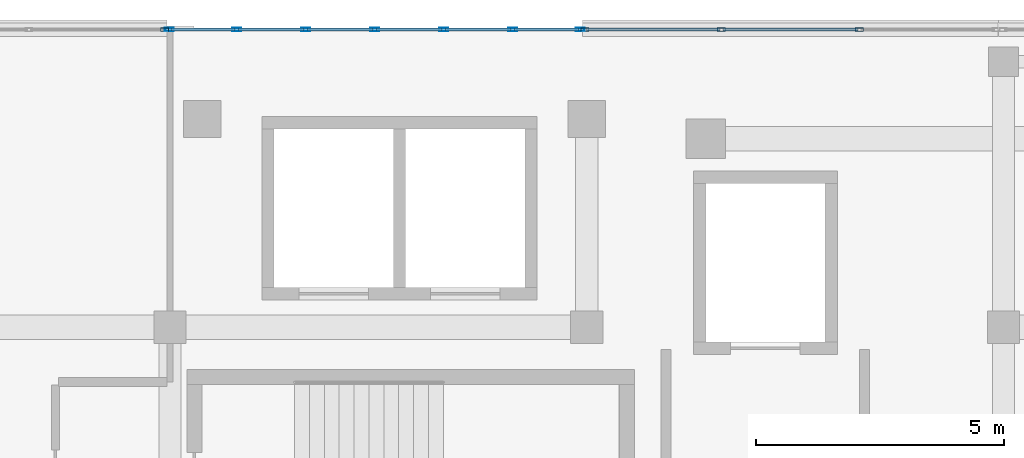
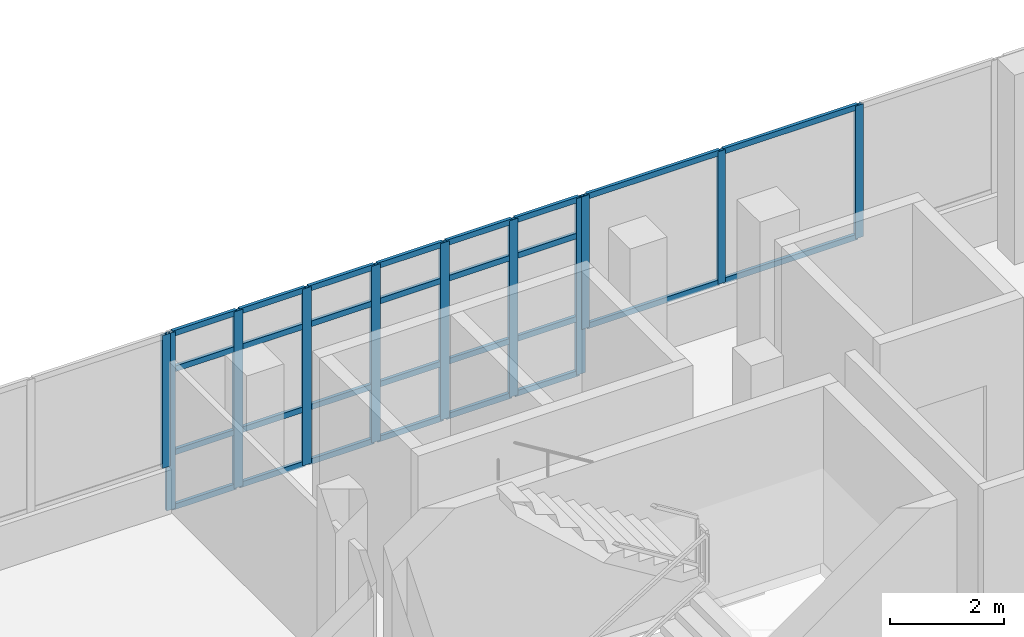
# One storey, part 28 of 78: 39 members, 3 elements without a shape of their own.
"""IFC4 building model written with IfcOpenShell, lengths in metres."""

from ifc_helpers import new_model, si_unit, direction, frame, origin, origin_2d, place, context, subcontext, project, spatial, hollow_rectangle, extrude, material, material_profile, profile_set, type_object, element, aggregate, save


model = new_model("IFC4")

# Units and contexts
model_context = context("Model", 3, precision=1e-05, world=origin(), true_north=direction((0.0, 1.0)))
body_context = subcontext(model_context, "Body", "Model", "MODEL_VIEW")
ifc_project = project(units=[si_unit("LENGTHUNIT", "METRE"), si_unit("AREAUNIT", "SQUARE_METRE"), si_unit("VOLUMEUNIT", "CUBIC_METRE"), si_unit("PLANEANGLEUNIT", "RADIAN"), si_unit("MASSUNIT", "GRAM", prefix="KILO")], contexts=[model_context])

# Site, building, storey
site_placement = place(None, origin())
site = spatial("IfcSite", under=ifc_project, at=site_placement, CompositionType="ELEMENT")
building_placement = place(site_placement, origin())
building = spatial("IfcBuilding", under=site, at=building_placement, Name="Selatvlak General Hospital", CompositionType="ELEMENT")
storey_placement = place(building_placement, frame((0.0, 0.0, 23.25)))
storey = spatial("IfcBuildingStorey", under=building, at=storey_placement, Name="L05", CompositionType="ELEMENT", Elevation=23.25)

# Curtain wall, member
ifc_material_1 = material(Name="Solar-control Low-E double glazing", Category="glass")
curtain_wall_type_1 = type_object("IfcCurtainWallType", Name="CW-CW-01", PredefinedType="USERDEFINED", material=ifc_material_1)
curtain_wall_1_placement = place(storey_placement, origin())
curtain_wall_1 = element("IfcCurtainWall", 1, at=curtain_wall_1_placement, inside=storey, type_object=curtain_wall_type_1, Name="Glazed facade curtain wall CW-L05-0549", ObjectType="UNITISED CURTAIN WALL", PredefinedType="USERDEFINED")
ifc_material_2 = material(Name="Dark anodised aluminium mullion", Category="aluminium")
ifc_material_profile_1 = material_profile(ifc_material_2, hollow_rectangle(XDim=0.06494140625, YDim=0.159912109375, WallThickness=0.00390625, at=origin_2d()), Name="AL-MUL 65x160x4")
ifc_profile_set_1 = profile_set([ifc_material_profile_1], Name="Dark anodised aluminium mullion")
member_type_1 = type_object("IfcMemberType", Name="CWM-01", PredefinedType="MULLION", material=ifc_profile_set_1)
member_1_placement = place(storey_placement, frame((47.889404296875, 119.9990234375, 0.93994140625), z_axis=(0.0, 0.0, 1.0), x_axis=(0.0, 1.0, 0.0)))
member_1 = element("IfcMember", 2, at=member_1_placement, type_object=member_type_1, Name="CW-01 mullion 4", PredefinedType="MULLION", context=body_context, shape_type="SweptSolid", body=[
    extrude(hollow_rectangle(XDim=0.06494140625, YDim=0.159912109375, WallThickness=0.00390625, at=origin_2d()), origin(), (0.0, 0.0, 1.0), 2.8349609375),
])
aggregate(curtain_wall_1, [member_1])

# Curtain wall, members
curtain_wall_2_placement = place(storey_placement, origin())
curtain_wall_2 = element("IfcCurtainWall", 3, at=curtain_wall_2_placement, inside=storey, type_object=curtain_wall_type_1, Name="Glazed facade curtain wall CW-L05-0551", ObjectType="UNITISED CURTAIN WALL", PredefinedType="USERDEFINED")
member_2_placement = place(storey_placement, frame((56.363525390625, 119.9990234375, 0.93994140625), z_axis=(0.0, 0.0, 1.0), x_axis=(0.0, 1.0, 0.0)))
member_2 = element("IfcMember", 4, at=member_2_placement, type_object=member_type_1, Name="CW-01 mullion 1", PredefinedType="MULLION", context=body_context, shape_type="SweptSolid", body=[
    extrude(hollow_rectangle(XDim=0.06494140625, YDim=0.159912109375, WallThickness=0.00390625, at=origin_2d()), origin(), (0.0, 0.0, 1.0), 2.8349609375),
])
member_3_placement = place(storey_placement, frame((59.11376953125, 119.9990234375, 0.93994140625), z_axis=(0.0, 0.0, 1.0), x_axis=(0.0, 1.0, 0.0)))
member_3 = element("IfcMember", 5, at=member_3_placement, type_object=member_type_1, Name="CW-01 mullion 2", PredefinedType="MULLION", context=body_context, shape_type="SweptSolid", body=[
    extrude(hollow_rectangle(XDim=0.06494140625, YDim=0.159912109375, WallThickness=0.00390625, at=origin_2d()), origin(), (0.0, 0.0, 1.0), 2.8349609375),
])
member_4_placement = place(storey_placement, frame((61.896240234375, 119.9990234375, 0.93994140625), z_axis=(0.0, 0.0, 1.0), x_axis=(0.0, 1.0, 0.0)))
member_4 = element("IfcMember", 6, at=member_4_placement, type_object=member_type_1, Name="CW-01 mullion 3", PredefinedType="MULLION", context=body_context, shape_type="SweptSolid", body=[
    extrude(hollow_rectangle(XDim=0.06494140625, YDim=0.159912109375, WallThickness=0.00390625, at=origin_2d()), origin(), (0.0, 0.0, 1.0), 2.8349609375),
])

curtain_wall_type_2 = type_object("IfcCurtainWallType", Name="CW-CW-04", PredefinedType="USERDEFINED", material=ifc_material_1)
curtain_wall_3_placement = place(storey_placement, origin())
curtain_wall_3 = element("IfcCurtainWall", 7, at=curtain_wall_3_placement, inside=storey, type_object=curtain_wall_type_2, Name="Glazed facade curtain wall CW-L05-0550", ObjectType="STICK GLAZING WALL", PredefinedType="USERDEFINED")
ifc_material_profile_2 = material_profile(ifc_material_2, hollow_rectangle(XDim=0.06494140625, YDim=0.179931640625, WallThickness=0.00439453125, at=origin_2d()), Name="AL-MUL 65x180x4.5")
ifc_profile_set_2 = profile_set([ifc_material_profile_2], Name="Dark anodised aluminium mullion")
member_type_2 = type_object("IfcMemberType", Name="CWM-02", PredefinedType="MULLION", material=ifc_profile_set_2)
member_5_placement = place(storey_placement, frame((47.984619140625, 119.9990234375, 0.0), z_axis=(0.0, 0.0, 1.0), x_axis=(0.0, 1.0, 0.0)))
member_5 = element("IfcMember", 8, at=member_5_placement, type_object=member_type_2, Name="CW-04 mullion 1", PredefinedType="MULLION", context=body_context, shape_type="SweptSolid", body=[
    extrude(hollow_rectangle(XDim=0.06494140625, YDim=0.179931640625, WallThickness=0.00439453125, at=origin_2d()), origin(), (0.0, 0.0, 1.0), 3.77490234375),
])
member_6_placement = place(storey_placement, frame((49.343505859375, 119.9990234375, 0.0), z_axis=(0.0, 0.0, 1.0), x_axis=(0.0, 1.0, 0.0)))
member_6 = element("IfcMember", 9, at=member_6_placement, type_object=member_type_2, Name="CW-04 mullion 2", PredefinedType="MULLION", context=body_context, shape_type="SweptSolid", body=[
    extrude(hollow_rectangle(XDim=0.06494140625, YDim=0.179931640625, WallThickness=0.00439453125, at=origin_2d()), origin(), (0.0, 0.0, 1.0), 3.77490234375),
])
member_7_placement = place(storey_placement, frame((50.735107421875, 119.9990234375, 0.0), z_axis=(0.0, 0.0, 1.0), x_axis=(0.0, 1.0, 0.0)))
member_7 = element("IfcMember", 10, at=member_7_placement, type_object=member_type_2, Name="CW-04 mullion 3", PredefinedType="MULLION", context=body_context, shape_type="SweptSolid", body=[
    extrude(hollow_rectangle(XDim=0.06494140625, YDim=0.179931640625, WallThickness=0.00439453125, at=origin_2d()), origin(), (0.0, 0.0, 1.0), 3.77490234375),
])
member_8_placement = place(storey_placement, frame((52.12646484375, 119.9990234375, 0.0), z_axis=(0.0, 0.0, 1.0), x_axis=(0.0, 1.0, 0.0)))
member_8 = element("IfcMember", 11, at=member_8_placement, type_object=member_type_2, Name="CW-04 mullion 4", PredefinedType="MULLION", context=body_context, shape_type="SweptSolid", body=[
    extrude(hollow_rectangle(XDim=0.06494140625, YDim=0.179931640625, WallThickness=0.00439453125, at=origin_2d()), origin(), (0.0, 0.0, 1.0), 3.77490234375),
])
member_9_placement = place(storey_placement, frame((53.51806640625, 119.9990234375, 0.0), z_axis=(0.0, 0.0, 1.0), x_axis=(0.0, 1.0, 0.0)))
member_9 = element("IfcMember", 12, at=member_9_placement, type_object=member_type_2, Name="CW-04 mullion 5", PredefinedType="MULLION", context=body_context, shape_type="SweptSolid", body=[
    extrude(hollow_rectangle(XDim=0.06494140625, YDim=0.179931640625, WallThickness=0.00439453125, at=origin_2d()), origin(), (0.0, 0.0, 1.0), 3.77490234375),
])
member_10_placement = place(storey_placement, frame((54.909423828125, 119.9990234375, 0.0), z_axis=(0.0, 0.0, 1.0), x_axis=(0.0, 1.0, 0.0)))
member_10 = element("IfcMember", 13, at=member_10_placement, type_object=member_type_2, Name="CW-04 mullion 6", PredefinedType="MULLION", context=body_context, shape_type="SweptSolid", body=[
    extrude(hollow_rectangle(XDim=0.06494140625, YDim=0.179931640625, WallThickness=0.00439453125, at=origin_2d()), origin(), (0.0, 0.0, 1.0), 3.77490234375),
])
member_11_placement = place(storey_placement, frame((56.2685546875, 119.9990234375, 0.0), z_axis=(0.0, 0.0, 1.0), x_axis=(0.0, 1.0, 0.0)))
member_11 = element("IfcMember", 14, at=member_11_placement, type_object=member_type_2, Name="CW-04 mullion 7", PredefinedType="MULLION", context=body_context, shape_type="SweptSolid", body=[
    extrude(hollow_rectangle(XDim=0.06494140625, YDim=0.179931640625, WallThickness=0.00439453125, at=origin_2d()), origin(), (0.0, 0.0, 1.0), 3.77490234375),
])
ifc_material_profile_3 = material_profile(ifc_material_2, hollow_rectangle(XDim=0.06494140625, YDim=0.1201171875, WallThickness=0.00390625, at=origin_2d()), Name="AL-TRN 65x120x4")
ifc_profile_set_3 = profile_set([ifc_material_profile_3], Name="Dark anodised aluminium mullion")
member_type_3 = type_object("IfcMemberType", Name="CWT-01", PredefinedType="USERDEFINED", material=ifc_profile_set_3)
member_12_placement = place(storey_placement, frame((48.01708984375, 119.9990234375, 0.032470703125), z_axis=(1.0, 0.0, 0.0), x_axis=(0.0, 1.0, 0.0)))
member_12 = element("IfcMember", 15, at=member_12_placement, type_object=member_type_3, Name="CW-04 transom 1.1", ObjectType="TRANSOM", PredefinedType="USERDEFINED", context=body_context, shape_type="SweptSolid", body=[
    extrude(hollow_rectangle(XDim=0.06494140625, YDim=0.1201171875, WallThickness=0.00390625, at=origin_2d()), origin(), (0.0, 0.0, 1.0), 1.2939453125),
])
member_13_placement = place(storey_placement, frame((48.01708984375, 119.9990234375, 1.199951171875), z_axis=(1.0, 0.0, 0.0), x_axis=(0.0, 1.0, 0.0)))
member_13 = element("IfcMember", 16, at=member_13_placement, type_object=member_type_3, Name="CW-04 transom 1.2", ObjectType="TRANSOM", PredefinedType="USERDEFINED", context=body_context, shape_type="SweptSolid", body=[
    extrude(hollow_rectangle(XDim=0.06494140625, YDim=0.1201171875, WallThickness=0.00390625, at=origin_2d()), origin(), (0.0, 0.0, 1.0), 1.2939453125),
])
member_14_placement = place(storey_placement, frame((48.01708984375, 119.9990234375, 2.97509765625), z_axis=(1.0, 0.0, 0.0), x_axis=(0.0, 1.0, 0.0)))
member_14 = element("IfcMember", 17, at=member_14_placement, type_object=member_type_3, Name="CW-04 transom 1.3", ObjectType="TRANSOM", PredefinedType="USERDEFINED", context=body_context, shape_type="SweptSolid", body=[
    extrude(hollow_rectangle(XDim=0.06494140625, YDim=0.1201171875, WallThickness=0.00390625, at=origin_2d()), origin(), (0.0, 0.0, 1.0), 1.2939453125),
])
member_15_placement = place(storey_placement, frame((48.01708984375, 119.9990234375, 3.742431640625), z_axis=(1.0, 0.0, 0.0), x_axis=(0.0, 1.0, 0.0)))
member_15 = element("IfcMember", 18, at=member_15_placement, type_object=member_type_3, Name="CW-04 transom 1.4", ObjectType="TRANSOM", PredefinedType="USERDEFINED", context=body_context, shape_type="SweptSolid", body=[
    extrude(hollow_rectangle(XDim=0.06494140625, YDim=0.1201171875, WallThickness=0.00390625, at=origin_2d()), origin(), (0.0, 0.0, 1.0), 1.2939453125),
])
member_16_placement = place(storey_placement, frame((49.3759765625, 119.9990234375, 0.032470703125), z_axis=(1.0, 0.0, 0.0), x_axis=(0.0, 1.0, 0.0)))
member_16 = element("IfcMember", 19, at=member_16_placement, type_object=member_type_3, Name="CW-04 transom 2.1", ObjectType="TRANSOM", PredefinedType="USERDEFINED", context=body_context, shape_type="SweptSolid", body=[
    extrude(hollow_rectangle(XDim=0.06494140625, YDim=0.1201171875, WallThickness=0.00390625, at=origin_2d()), origin(), (0.0, 0.0, 1.0), 1.326416015625),
])
member_17_placement = place(storey_placement, frame((49.3759765625, 119.9990234375, 1.199951171875), z_axis=(1.0, 0.0, 0.0), x_axis=(0.0, 1.0, 0.0)))
member_17 = element("IfcMember", 20, at=member_17_placement, type_object=member_type_3, Name="CW-04 transom 2.2", ObjectType="TRANSOM", PredefinedType="USERDEFINED", context=body_context, shape_type="SweptSolid", body=[
    extrude(hollow_rectangle(XDim=0.06494140625, YDim=0.1201171875, WallThickness=0.00390625, at=origin_2d()), origin(), (0.0, 0.0, 1.0), 1.326416015625),
])
member_18_placement = place(storey_placement, frame((49.3759765625, 119.9990234375, 2.97509765625), z_axis=(1.0, 0.0, 0.0), x_axis=(0.0, 1.0, 0.0)))
member_18 = element("IfcMember", 21, at=member_18_placement, type_object=member_type_3, Name="CW-04 transom 2.3", ObjectType="TRANSOM", PredefinedType="USERDEFINED", context=body_context, shape_type="SweptSolid", body=[
    extrude(hollow_rectangle(XDim=0.06494140625, YDim=0.1201171875, WallThickness=0.00390625, at=origin_2d()), origin(), (0.0, 0.0, 1.0), 1.326416015625),
])
member_19_placement = place(storey_placement, frame((49.3759765625, 119.9990234375, 3.742431640625), z_axis=(1.0, 0.0, 0.0), x_axis=(0.0, 1.0, 0.0)))
member_19 = element("IfcMember", 22, at=member_19_placement, type_object=member_type_3, Name="CW-04 transom 2.4", ObjectType="TRANSOM", PredefinedType="USERDEFINED", context=body_context, shape_type="SweptSolid", body=[
    extrude(hollow_rectangle(XDim=0.06494140625, YDim=0.1201171875, WallThickness=0.00390625, at=origin_2d()), origin(), (0.0, 0.0, 1.0), 1.326416015625),
])
member_20_placement = place(storey_placement, frame((50.767578125, 119.9990234375, 0.032470703125), z_axis=(1.0, 0.0, 0.0), x_axis=(0.0, 1.0, 0.0)))
member_20 = element("IfcMember", 23, at=member_20_placement, type_object=member_type_3, Name="CW-04 transom 3.1", ObjectType="TRANSOM", PredefinedType="USERDEFINED", context=body_context, shape_type="SweptSolid", body=[
    extrude(hollow_rectangle(XDim=0.06494140625, YDim=0.1201171875, WallThickness=0.00390625, at=origin_2d()), origin(), (0.0, 0.0, 1.0), 1.326416015625),
])
member_21_placement = place(storey_placement, frame((50.767578125, 119.9990234375, 1.199951171875), z_axis=(1.0, 0.0, 0.0), x_axis=(0.0, 1.0, 0.0)))
member_21 = element("IfcMember", 24, at=member_21_placement, type_object=member_type_3, Name="CW-04 transom 3.2", ObjectType="TRANSOM", PredefinedType="USERDEFINED", context=body_context, shape_type="SweptSolid", body=[
    extrude(hollow_rectangle(XDim=0.06494140625, YDim=0.1201171875, WallThickness=0.00390625, at=origin_2d()), origin(), (0.0, 0.0, 1.0), 1.326416015625),
])
member_22_placement = place(storey_placement, frame((50.767578125, 119.9990234375, 2.97509765625), z_axis=(1.0, 0.0, 0.0), x_axis=(0.0, 1.0, 0.0)))
member_22 = element("IfcMember", 25, at=member_22_placement, type_object=member_type_3, Name="CW-04 transom 3.3", ObjectType="TRANSOM", PredefinedType="USERDEFINED", context=body_context, shape_type="SweptSolid", body=[
    extrude(hollow_rectangle(XDim=0.06494140625, YDim=0.1201171875, WallThickness=0.00390625, at=origin_2d()), origin(), (0.0, 0.0, 1.0), 1.326416015625),
])
member_23_placement = place(storey_placement, frame((50.767578125, 119.9990234375, 3.742431640625), z_axis=(1.0, 0.0, 0.0), x_axis=(0.0, 1.0, 0.0)))
member_23 = element("IfcMember", 26, at=member_23_placement, type_object=member_type_3, Name="CW-04 transom 3.4", ObjectType="TRANSOM", PredefinedType="USERDEFINED", context=body_context, shape_type="SweptSolid", body=[
    extrude(hollow_rectangle(XDim=0.06494140625, YDim=0.1201171875, WallThickness=0.00390625, at=origin_2d()), origin(), (0.0, 0.0, 1.0), 1.326416015625),
])
member_24_placement = place(storey_placement, frame((52.158935546875, 119.9990234375, 0.032470703125), z_axis=(1.0, 0.0, 0.0), x_axis=(0.0, 1.0, 0.0)))
member_24 = element("IfcMember", 27, at=member_24_placement, type_object=member_type_3, Name="CW-04 transom 4.1", ObjectType="TRANSOM", PredefinedType="USERDEFINED", context=body_context, shape_type="SweptSolid", body=[
    extrude(hollow_rectangle(XDim=0.06494140625, YDim=0.1201171875, WallThickness=0.00390625, at=origin_2d()), origin(), (0.0, 0.0, 1.0), 1.32666015625),
])
member_25_placement = place(storey_placement, frame((52.158935546875, 119.9990234375, 1.199951171875), z_axis=(1.0, 0.0, 0.0), x_axis=(0.0, 1.0, 0.0)))
member_25 = element("IfcMember", 28, at=member_25_placement, type_object=member_type_3, Name="CW-04 transom 4.2", ObjectType="TRANSOM", PredefinedType="USERDEFINED", context=body_context, shape_type="SweptSolid", body=[
    extrude(hollow_rectangle(XDim=0.06494140625, YDim=0.1201171875, WallThickness=0.00390625, at=origin_2d()), origin(), (0.0, 0.0, 1.0), 1.32666015625),
])
member_26_placement = place(storey_placement, frame((52.158935546875, 119.9990234375, 2.97509765625), z_axis=(1.0, 0.0, 0.0), x_axis=(0.0, 1.0, 0.0)))
member_26 = element("IfcMember", 29, at=member_26_placement, type_object=member_type_3, Name="CW-04 transom 4.3", ObjectType="TRANSOM", PredefinedType="USERDEFINED", context=body_context, shape_type="SweptSolid", body=[
    extrude(hollow_rectangle(XDim=0.06494140625, YDim=0.1201171875, WallThickness=0.00390625, at=origin_2d()), origin(), (0.0, 0.0, 1.0), 1.32666015625),
])
member_27_placement = place(storey_placement, frame((52.158935546875, 119.9990234375, 3.742431640625), z_axis=(1.0, 0.0, 0.0), x_axis=(0.0, 1.0, 0.0)))
member_27 = element("IfcMember", 30, at=member_27_placement, type_object=member_type_3, Name="CW-04 transom 4.4", ObjectType="TRANSOM", PredefinedType="USERDEFINED", context=body_context, shape_type="SweptSolid", body=[
    extrude(hollow_rectangle(XDim=0.06494140625, YDim=0.1201171875, WallThickness=0.00390625, at=origin_2d()), origin(), (0.0, 0.0, 1.0), 1.32666015625),
])
member_28_placement = place(storey_placement, frame((53.550537109375, 119.9990234375, 0.032470703125), z_axis=(1.0, 0.0, 0.0), x_axis=(0.0, 1.0, 0.0)))
member_28 = element("IfcMember", 31, at=member_28_placement, type_object=member_type_3, Name="CW-04 transom 5.1", ObjectType="TRANSOM", PredefinedType="USERDEFINED", context=body_context, shape_type="SweptSolid", body=[
    extrude(hollow_rectangle(XDim=0.06494140625, YDim=0.1201171875, WallThickness=0.00390625, at=origin_2d()), origin(), (0.0, 0.0, 1.0), 1.326416015625),
])
member_29_placement = place(storey_placement, frame((53.550537109375, 119.9990234375, 1.199951171875), z_axis=(1.0, 0.0, 0.0), x_axis=(0.0, 1.0, 0.0)))
member_29 = element("IfcMember", 32, at=member_29_placement, type_object=member_type_3, Name="CW-04 transom 5.2", ObjectType="TRANSOM", PredefinedType="USERDEFINED", context=body_context, shape_type="SweptSolid", body=[
    extrude(hollow_rectangle(XDim=0.06494140625, YDim=0.1201171875, WallThickness=0.00390625, at=origin_2d()), origin(), (0.0, 0.0, 1.0), 1.326416015625),
])
member_30_placement = place(storey_placement, frame((53.550537109375, 119.9990234375, 2.97509765625), z_axis=(1.0, 0.0, 0.0), x_axis=(0.0, 1.0, 0.0)))
member_30 = element("IfcMember", 33, at=member_30_placement, type_object=member_type_3, Name="CW-04 transom 5.3", ObjectType="TRANSOM", PredefinedType="USERDEFINED", context=body_context, shape_type="SweptSolid", body=[
    extrude(hollow_rectangle(XDim=0.06494140625, YDim=0.1201171875, WallThickness=0.00390625, at=origin_2d()), origin(), (0.0, 0.0, 1.0), 1.326416015625),
])
member_31_placement = place(storey_placement, frame((53.550537109375, 119.9990234375, 3.742431640625), z_axis=(1.0, 0.0, 0.0), x_axis=(0.0, 1.0, 0.0)))
member_31 = element("IfcMember", 34, at=member_31_placement, type_object=member_type_3, Name="CW-04 transom 5.4", ObjectType="TRANSOM", PredefinedType="USERDEFINED", context=body_context, shape_type="SweptSolid", body=[
    extrude(hollow_rectangle(XDim=0.06494140625, YDim=0.1201171875, WallThickness=0.00390625, at=origin_2d()), origin(), (0.0, 0.0, 1.0), 1.326416015625),
])
member_32_placement = place(storey_placement, frame((54.94189453125, 119.9990234375, 0.032470703125), z_axis=(1.0, 0.0, 0.0), x_axis=(0.0, 1.0, 0.0)))
member_32 = element("IfcMember", 35, at=member_32_placement, type_object=member_type_3, Name="CW-04 transom 6.1", ObjectType="TRANSOM", PredefinedType="USERDEFINED", context=body_context, shape_type="SweptSolid", body=[
    extrude(hollow_rectangle(XDim=0.06494140625, YDim=0.1201171875, WallThickness=0.00390625, at=origin_2d()), origin(), (0.0, 0.0, 1.0), 1.294189453125),
])
member_33_placement = place(storey_placement, frame((54.94189453125, 119.9990234375, 1.199951171875), z_axis=(1.0, 0.0, 0.0), x_axis=(0.0, 1.0, 0.0)))
member_33 = element("IfcMember", 36, at=member_33_placement, type_object=member_type_3, Name="CW-04 transom 6.2", ObjectType="TRANSOM", PredefinedType="USERDEFINED", context=body_context, shape_type="SweptSolid", body=[
    extrude(hollow_rectangle(XDim=0.06494140625, YDim=0.1201171875, WallThickness=0.00390625, at=origin_2d()), origin(), (0.0, 0.0, 1.0), 1.294189453125),
])
member_34_placement = place(storey_placement, frame((54.94189453125, 119.9990234375, 2.97509765625), z_axis=(1.0, 0.0, 0.0), x_axis=(0.0, 1.0, 0.0)))
member_34 = element("IfcMember", 37, at=member_34_placement, type_object=member_type_3, Name="CW-04 transom 6.3", ObjectType="TRANSOM", PredefinedType="USERDEFINED", context=body_context, shape_type="SweptSolid", body=[
    extrude(hollow_rectangle(XDim=0.06494140625, YDim=0.1201171875, WallThickness=0.00390625, at=origin_2d()), origin(), (0.0, 0.0, 1.0), 1.294189453125),
])
member_35_placement = place(storey_placement, frame((54.94189453125, 119.9990234375, 3.742431640625), z_axis=(1.0, 0.0, 0.0), x_axis=(0.0, 1.0, 0.0)))
member_35 = element("IfcMember", 38, at=member_35_placement, type_object=member_type_3, Name="CW-04 transom 6.4", ObjectType="TRANSOM", PredefinedType="USERDEFINED", context=body_context, shape_type="SweptSolid", body=[
    extrude(hollow_rectangle(XDim=0.06494140625, YDim=0.1201171875, WallThickness=0.00390625, at=origin_2d()), origin(), (0.0, 0.0, 1.0), 1.294189453125),
])
aggregate(curtain_wall_3, [member_5, member_6, member_7, member_8, member_9, member_10, member_11, member_12, member_13, member_14, member_15, member_16, member_17, member_18, member_19, member_20, member_21, member_22, member_23, member_24, member_25, member_26, member_27, member_28, member_29, member_30, member_31, member_32, member_33, member_34, member_35])

# Member
member_36_placement = place(storey_placement, frame((56.39599609375, 119.9990234375, 0.972412109375), z_axis=(1.0, 0.0, 0.0), x_axis=(0.0, 1.0, 0.0)))
member_36 = element("IfcMember", 39, at=member_36_placement, type_object=member_type_3, Name="CW-01 transom 1.1", ObjectType="TRANSOM", PredefinedType="USERDEFINED", context=body_context, shape_type="SweptSolid", body=[
    extrude(hollow_rectangle(XDim=0.06494140625, YDim=0.1201171875, WallThickness=0.00390625, at=origin_2d()), origin(), (0.0, 0.0, 1.0), 2.68505859375),
])

member_37_placement = place(storey_placement, frame((56.39599609375, 119.9990234375, 3.742431640625), z_axis=(1.0, 0.0, 0.0), x_axis=(0.0, 1.0, 0.0)))
member_37 = element("IfcMember", 40, at=member_37_placement, type_object=member_type_3, Name="CW-01 transom 1.2", ObjectType="TRANSOM", PredefinedType="USERDEFINED", context=body_context, shape_type="SweptSolid", body=[
    extrude(hollow_rectangle(XDim=0.06494140625, YDim=0.1201171875, WallThickness=0.00390625, at=origin_2d()), origin(), (0.0, 0.0, 1.0), 2.68505859375),
])

member_38_placement = place(storey_placement, frame((59.146240234375, 119.9990234375, 0.972412109375), z_axis=(1.0, 0.0, 0.0), x_axis=(0.0, 1.0, 0.0)))
member_38 = element("IfcMember", 41, at=member_38_placement, type_object=member_type_3, Name="CW-01 transom 2.1", ObjectType="TRANSOM", PredefinedType="USERDEFINED", context=body_context, shape_type="SweptSolid", body=[
    extrude(hollow_rectangle(XDim=0.06494140625, YDim=0.1201171875, WallThickness=0.00390625, at=origin_2d()), origin(), (0.0, 0.0, 1.0), 2.717529296875),
])

member_39_placement = place(storey_placement, frame((59.146240234375, 119.9990234375, 3.742431640625), z_axis=(1.0, 0.0, 0.0), x_axis=(0.0, 1.0, 0.0)))
member_39 = element("IfcMember", 42, at=member_39_placement, type_object=member_type_3, Name="CW-01 transom 2.2", ObjectType="TRANSOM", PredefinedType="USERDEFINED", context=body_context, shape_type="SweptSolid", body=[
    extrude(hollow_rectangle(XDim=0.06494140625, YDim=0.1201171875, WallThickness=0.00390625, at=origin_2d()), origin(), (0.0, 0.0, 1.0), 2.717529296875),
])

aggregate(curtain_wall_2, [member_2, member_3, member_4, member_36, member_37, member_38, member_39])

save(model, "model.ifc")
